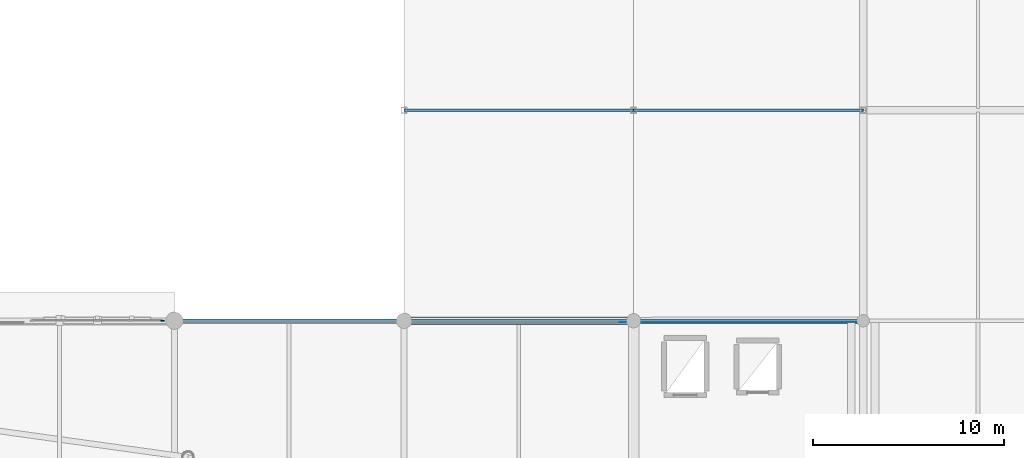
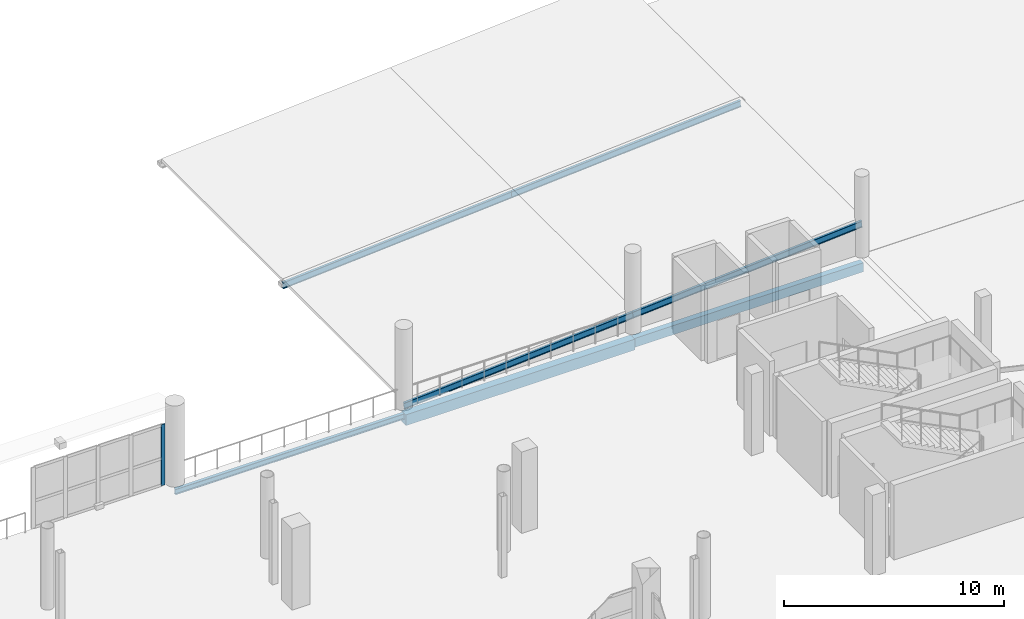
# One storey, part 63 of 118: 7 beams, 1 member, 1 element without a shape of its own.
"""IFC4 building model written with IfcOpenShell, lengths in metres."""

from ifc_helpers import new_model, si_unit, direction, frame, origin, origin_2d, place, context, subcontext, project, spatial, rectangle, hollow_rectangle, i_section, extrude, material, material_profile, profile_set, type_object, element, aggregate, save


model = new_model("IFC4")

# Units and contexts
model_context = context("Model", 3, precision=1e-05, world=origin(), true_north=direction((0.0, 1.0)))
body_context = subcontext(model_context, "Body", "Model", "MODEL_VIEW")
ifc_project = project(units=[si_unit("LENGTHUNIT", "METRE"), si_unit("AREAUNIT", "SQUARE_METRE"), si_unit("VOLUMEUNIT", "CUBIC_METRE"), si_unit("PLANEANGLEUNIT", "RADIAN"), si_unit("MASSUNIT", "GRAM", prefix="KILO")], contexts=[model_context])

# Site, building, storey
site_placement = place(None, origin())
site = spatial("IfcSite", under=ifc_project, at=site_placement, CompositionType="ELEMENT")
building_placement = place(site_placement, origin())
building = spatial("IfcBuilding", under=site, at=building_placement, Name="Luwafu Chhajja Arena", CompositionType="ELEMENT")
storey_placement = place(building_placement, frame((0.0, 0.0, 10.199951171875)))
storey = spatial("IfcBuildingStorey", under=building, at=storey_placement, Name="L02", CompositionType="ELEMENT", Elevation=10.199951171875)

# Curtain wall, member
ifc_material_1 = material(Name="Anodised bronze aluminium", Category="aluminium")
curtain_wall_type = type_object("IfcCurtainWallType", Name="Hospitality Ring Curtain Wall", PredefinedType="USERDEFINED", material=ifc_material_1)
curtain_wall_placement = place(storey_placement, origin())
curtain_wall = element("IfcCurtainWall", 1, at=curtain_wall_placement, inside=storey, type_object=curtain_wall_type, Name="L02 Curtain Wall CWG-L02-H10_09", ObjectType="CURTAIN WALL", PredefinedType="USERDEFINED")
ifc_material_profile_1 = material_profile(ifc_material_1, rectangle(XDim=0.06494140625, YDim=0.199951171875, at=origin_2d()), Name="CWM 65x200")
ifc_profile_set_1 = profile_set([ifc_material_profile_1], Name="Anodised bronze aluminium")
member_type = type_object("IfcMemberType", Name="Bronze Curtain Wall Mullion 65x200", PredefinedType="MULLION", material=ifc_profile_set_1)
member_placement = place(storey_placement, frame((127.37744140625, 99.0, 0.030029296875), z_axis=(0.0, 0.0, 1.0), x_axis=(0.0, 1.0, 0.0)))
member = element("IfcMember", 2, at=member_placement, type_object=member_type, Name="CW-02 mullion 5", PredefinedType="MULLION", context=body_context, shape_type="SweptSolid", body=[
    extrude(rectangle(XDim=0.06494140625, YDim=0.199951171875, at=origin_2d()), origin(), (0.0, 0.0, 1.0), 3.375),
])
aggregate(curtain_wall, [member])

# Beams
ifc_material_2 = material(Name="Steel S355", Category="steel")
ifc_material_profile_2 = material_profile(ifc_material_2, i_section(OverallWidth=0.1259765625, OverallDepth=0.353515625, WebThickness=0.006591796875, FlangeThickness=0.0107421875, at=origin_2d()), Name="UB 356x127x39")
ifc_profile_set_2 = profile_set([ifc_material_profile_2], Name="Steel S355")
beam_type_1 = type_object("IfcBeamType", Name="Canopy Joist UB 356x127x39", PredefinedType="JOIST", material=ifc_profile_set_2)
for number, where, z_axis, x_axis, name in (
    (3, (140.0, 99.0, 0.0), (0.997500148199, 0.0, 0.070664378174), (0.0, 1.0, 0.0), "L02 Charbagh Cloister Rafter 12/9"),
    (4, (152.0, 99.0, 0.85009765625), (0.997501578488, 0.0, 0.070644185277), (0.0, 1.0, 0.0), "L02 Charbagh Cloister Rafter 13/9"),
    (5, (140.0, 110.0, 0.0), (0.997500148199, 0.0, 0.070664378174), (0.0, 1.0, 0.0), "L02 Charbagh Cloister Rafter 12/10"),
    (6, (152.0, 110.0, 0.85009765625), (0.997501578488, 0.0, 0.070644185277), (0.0, 1.0, 0.0), "L02 Charbagh Cloister Rafter 13/10"),
):
    element("IfcBeam", number, at=place(storey_placement, frame(where, z_axis=z_axis, x_axis=x_axis)), inside=storey, type_object=beam_type_1, Name=name, PredefinedType="JOIST", context=body_context, shape_type="SweptSolid", body=[
        extrude(i_section(OverallWidth=0.1259765625, OverallDepth=0.353515625, WebThickness=0.006591796875, FlangeThickness=0.0107421875, at=origin_2d()), origin(), (0.0, 0.0, 1.0), 12.030029296875),
    ])
ifc_material_profile_3 = material_profile(ifc_material_2, i_section(OverallWidth=0.165771484375, OverallDepth=0.306640625, WebThickness=0.006591796875, FlangeThickness=0.01171875, at=origin_2d()), Name="UB 305x165x46")
ifc_profile_set_3 = profile_set([ifc_material_profile_3], Name="Steel S355")
beam_type_2 = type_object("IfcBeamType", Name="Concourse Edge Spandrel Beam UB 305x165x46", PredefinedType="SPANDREL", material=ifc_profile_set_3)
beam_1_placement = place(storey_placement, frame((128.0, 99.0, -0.543212890625), z_axis=(1.0, 0.0, 0.0), x_axis=(0.0, 1.0, 0.0)))
element("IfcBeam", 7, at=beam_1_placement, inside=storey, type_object=beam_type_2, Name="L02 Grid Beam 12-13/K", PredefinedType="SPANDREL", context=body_context, shape_type="SweptSolid", body=[
    extrude(i_section(OverallWidth=0.165771484375, OverallDepth=0.306640625, WebThickness=0.006591796875, FlangeThickness=0.01171875, at=origin_2d()), origin(), (0.0, 0.0, 1.0), 12.0),
])
ifc_material_profile_4 = material_profile(ifc_material_2, hollow_rectangle(XDim=0.300048828125, YDim=0.5, WallThickness=0.02001953125, at=origin_2d()), Name="RHS 500x300x20")
ifc_profile_set_4 = profile_set([ifc_material_profile_4], Name="Steel S355")
beam_type_3 = type_object("IfcBeamType", Name="Pleated Drum Spandrel Beam RHS 500x300", PredefinedType="SPANDREL", material=ifc_profile_set_4)
beam_2_placement = place(storey_placement, frame((152.0, 99.0, -0.639892578125), z_axis=(1.0, 0.0, 0.0), x_axis=(0.0, 1.0, 0.0)))
element("IfcBeam", 8, at=beam_2_placement, inside=storey, type_object=beam_type_3, Name="L02 Grid Beam 14-15/K", PredefinedType="SPANDREL", context=body_context, shape_type="SweptSolid", body=[
    extrude(hollow_rectangle(XDim=0.300048828125, YDim=0.5, WallThickness=0.02001953125, at=origin_2d()), origin(), (0.0, 0.0, 1.0), 12.0),
])
ifc_material_3 = material(Name="Concrete C35/45", Category="concrete")
ifc_material_profile_5 = material_profile(ifc_material_3, rectangle(XDim=0.39990234375, YDim=0.60009765625, at=origin_2d()), Name="RC 400x600")
ifc_profile_set_5 = profile_set([ifc_material_profile_5], Name="Concrete C35/45")
beam_type_4 = type_object("IfcBeamType", Name="Podium Perimeter Spandrel RC 400x600", PredefinedType="SPANDREL", material=ifc_profile_set_5)
beam_3_placement = place(storey_placement, frame((140.0, 99.0, -0.68994140625), z_axis=(1.0, 0.0, 0.0), x_axis=(0.0, 1.0, 0.0)))
element("IfcBeam", 9, at=beam_3_placement, inside=storey, type_object=beam_type_4, Name="L02 Grid Beam 13-14/K", PredefinedType="SPANDREL", context=body_context, shape_type="SweptSolid", body=[
    extrude(rectangle(XDim=0.39990234375, YDim=0.60009765625, at=origin_2d()), origin(), (0.0, 0.0, 1.0), 12.0),
])

save(model, "model.ifc")
